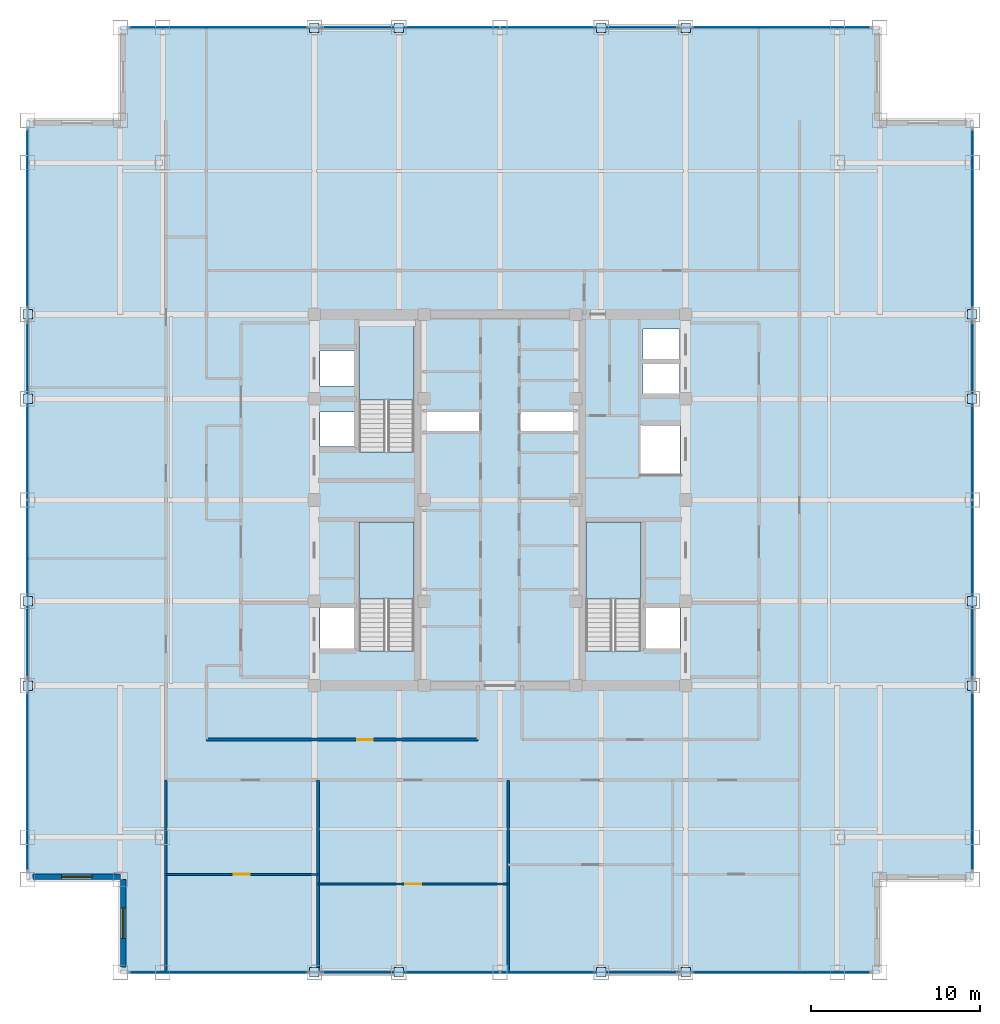
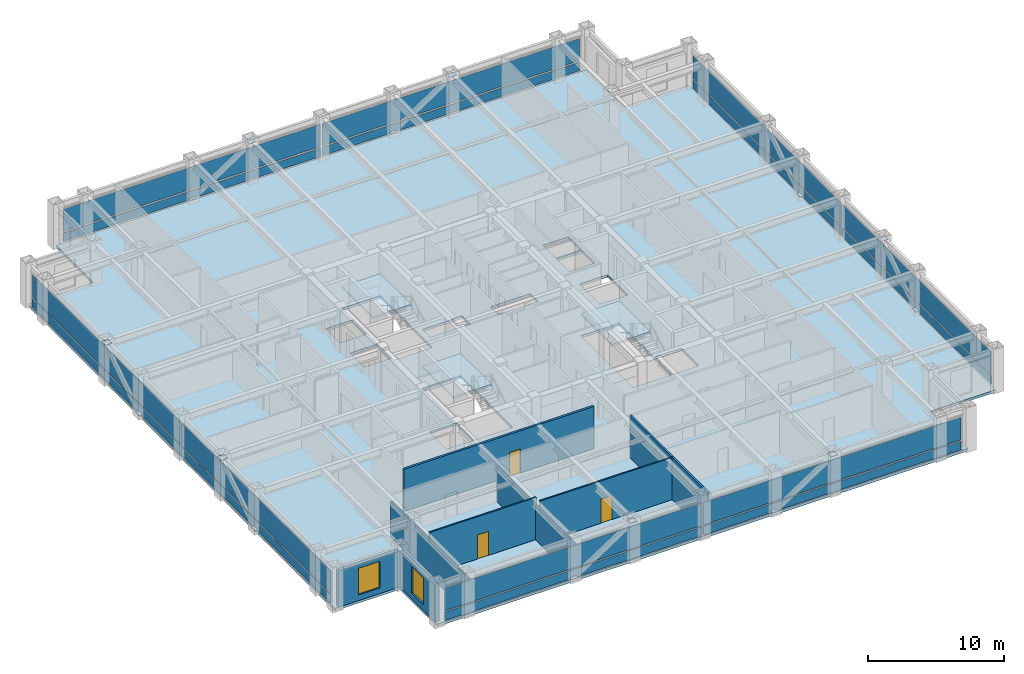
# One storey, part 17 of 22: 32 plates, 8 walls, 4 slabs, 3 doors, 2 windows, 5 openings, 7 elements without a shape of their own.
"""IFC4 building model written with IfcOpenShell, lengths in metres."""

from ifc_helpers import new_model, si_unit, direction, frame, frame_2d, origin, origin_2d, place, context, subcontext, project, spatial, polyline, rectangle, outline, extrude, source, transform, mapped, material, layer, layer_set, type_object, element, fill, aggregate, save


model = new_model("IFC4")

# Units and contexts
model_context = context("Model", 3, precision=1e-05, world=origin(), true_north=direction((0.0, 1.0)))
body_context = subcontext(model_context, "Body", "Model", "MODEL_VIEW")
ifc_project = project(units=[si_unit("LENGTHUNIT", "METRE"), si_unit("AREAUNIT", "SQUARE_METRE"), si_unit("VOLUMEUNIT", "CUBIC_METRE"), si_unit("PLANEANGLEUNIT", "RADIAN"), si_unit("MASSUNIT", "GRAM", prefix="KILO")], contexts=[model_context])

# Site, building, storey
site_placement = place(None, origin())
site = spatial("IfcSite", under=ifc_project, at=site_placement, CompositionType="ELEMENT")
building_placement = place(site_placement, origin())
building = spatial("IfcBuilding", under=site, at=building_placement, Name="Khorayat Bourse Tower", CompositionType="ELEMENT")
storey_placement = place(building_placement, frame((0.0, 0.0, 293.5)))
storey = spatial("IfcBuildingStorey", under=building, at=storey_placement, Name="L69", CompositionType="ELEMENT", Elevation=293.5)

# Stair, slab
ifc_material_1 = material(Name="Concrete C40/50", Category="concrete")
stair_type = type_object("IfcStairType", Name="STR-CORE-1550", PredefinedType="HALF_TURN_STAIR", material=ifc_material_1)
stair_1_placement = place(storey_placement, origin())
stair_1 = element("IfcStair", 1, at=stair_1_placement, inside=storey, type_object=stair_type, Name="L69 Exit Stair ST-1", PredefinedType="HALF_TURN_STAIR")
ifc_layer_1 = layer(ifc_material_1, 0.199951171875)
ifc_layer_set_1 = layer_set([ifc_layer_1], Name="Concrete C40/50")
slab_type_1 = type_object("IfcSlabType", Name="SLB-LANDING-200", PredefinedType="LANDING", material=ifc_layer_set_1)
slab_1_placement = place(storey_placement, frame((0.0, 0.0, 1.800048828125)))
slab_1 = element("IfcSlab", 2, at=slab_1_placement, type_object=slab_type_1, Name="ST-1 landing 1", PredefinedType="LANDING", context=body_context, shape_type="SweptSolid", body=[
    extrude(outline(polyline([(-5.10009765625, -5.8701171875), (-5.10009765625, -1.300048828125), (-8.35009765625, -1.300048828125), (-8.35009765625, -5.8701171875), (-5.10009765625, -5.8701171875)])), origin(), (0.0, 0.0, 1.0), 0.199951171875),
])
aggregate(stair_1, [slab_1])

stair_2_placement = place(storey_placement, origin())
stair_2 = element("IfcStair", 3, at=stair_2_placement, inside=storey, type_object=stair_type, Name="L69 Exit Stair ST-2", PredefinedType="HALF_TURN_STAIR")
slab_2_placement = place(storey_placement, frame((0.0, 0.0, 1.800048828125)))
slab_2 = element("IfcSlab", 4, at=slab_2_placement, type_object=slab_type_1, Name="ST-2 landing 1", PredefinedType="LANDING", context=body_context, shape_type="SweptSolid", body=[
    extrude(outline(polyline([(-5.10009765625, 5.929931640625), (-5.10009765625, 10.5), (-8.35009765625, 10.5), (-8.35009765625, 5.929931640625), (-5.10009765625, 5.929931640625)])), origin(), (0.0, 0.0, 1.0), 0.199951171875),
])
aggregate(stair_2, [slab_2])

stair_3_placement = place(storey_placement, origin())
stair_3 = element("IfcStair", 5, at=stair_3_placement, inside=storey, type_object=stair_type, Name="L69 Exit Stair ST-3", PredefinedType="HALF_TURN_STAIR")
slab_3_placement = place(storey_placement, frame((0.0, 0.0, 1.800048828125)))
slab_3 = element("IfcSlab", 6, at=slab_3_placement, type_object=slab_type_1, Name="ST-3 landing 1", PredefinedType="LANDING", context=body_context, shape_type="SweptSolid", body=[
    extrude(outline(polyline([(8.35009765625, -5.8701171875), (8.35009765625, -1.300048828125), (5.10009765625, -1.300048828125), (5.10009765625, -5.8701171875), (8.35009765625, -5.8701171875)])), origin(), (0.0, 0.0, 1.0), 0.199951171875),
])
aggregate(stair_3, [slab_3])

# Slab
ifc_layer_2 = layer(ifc_material_1, 0.219970703125)
ifc_layer_set_2 = layer_set([ifc_layer_2], Name="Concrete C40/50")
slab_type_2 = type_object("IfcSlabType", Name="SLB-OFFICE-220", PredefinedType="FLOOR", material=ifc_layer_set_2)
slab_4_placement = place(storey_placement, frame((0.0, 0.0, -0.219970703125)))
element("IfcSlab", 7, at=slab_4_placement, inside=storey, type_object=slab_type_2, Name="L69 Main Floor Slab", PredefinedType="FLOOR", context=body_context, shape_type="SweptSolid", body=[
    extrude(outline(polyline([(-22.5, -28.0), (22.5, -28.0), (22.5, -22.5), (28.0, -22.5), (28.0, 22.5), (22.5, 22.5), (22.5, 28.0), (-22.5, 28.0), (-22.5, 22.5), (-28.0, 22.5), (-28.0, -22.5), (-22.5, -22.5), (-22.5, -28.0)]), holes=[polyline([(-8.35009765625, -8.945068359375), (-5.10009765625, -8.945068359375), (-5.10009765625, -1.300048828125), (-8.35009765625, -1.300048828125), (-8.35009765625, -8.945068359375)]), polyline([(-8.35009765625, 2.85498046875), (-5.10009765625, 2.85498046875), (-5.10009765625, 10.5), (-8.35009765625, 10.5), (-8.35009765625, 2.85498046875)]), polyline([(5.10009765625, -8.945068359375), (8.35009765625, -8.945068359375), (8.35009765625, -1.300048828125), (5.10009765625, -1.300048828125), (5.10009765625, -8.945068359375)]), polyline([(-10.679931640625, 3.169921875), (-8.419921875, 3.169921875), (-8.419921875, 5.22998046875), (-10.679931640625, 5.22998046875), (-10.679931640625, 3.169921875)]), polyline([(-10.679931640625, 6.77001953125), (-8.419921875, 6.77001953125), (-8.419921875, 8.830078125), (-10.679931640625, 8.830078125), (-10.679931640625, 6.77001953125)]), polyline([(8.469970703125, 6.27001953125), (10.6298828125, 6.27001953125), (10.6298828125, 8.1298828125), (8.469970703125, 8.1298828125), (8.469970703125, 6.27001953125)]), polyline([(8.469970703125, 8.27001953125), (10.6298828125, 8.27001953125), (10.6298828125, 10.1298828125), (8.469970703125, 10.1298828125), (8.469970703125, 8.27001953125)]), polyline([(-10.679931640625, -8.929931640625), (-8.419921875, -8.929931640625), (-8.419921875, -6.3701171875), (-10.679931640625, -6.3701171875), (-10.679931640625, -8.929931640625)]), polyline([(8.419921875, -8.929931640625), (10.679931640625, -8.929931640625), (10.679931640625, -6.3701171875), (8.419921875, -6.3701171875), (8.419921875, -8.929931640625)]), polyline([(8.320068359375, 1.52001953125), (10.679931640625, 1.52001953125), (10.679931640625, 4.47998046875), (8.320068359375, 4.47998046875), (8.320068359375, 1.52001953125)]), polyline([(-4.56005859375, 4.080078125), (-1.18994140625, 4.080078125), (-1.18994140625, 5.219970703125), (-4.56005859375, 5.219970703125), (-4.56005859375, 4.080078125)]), polyline([(1.18994140625, 4.080078125), (4.56005859375, 4.080078125), (4.56005859375, 5.219970703125), (1.18994140625, 5.219970703125), (1.18994140625, 4.080078125)])]), origin(), (0.0, 0.0, 1.0), 0.219970703125),
])

# Plates
ifc_material_2 = material(Name="Steel EN 10025-2 S355J2", Category="steel")
ifc_layer_3 = layer(ifc_material_2, 0.02490234375)
ifc_layer_set_3 = layer_set([ifc_layer_3], Name="Steel EN 10025-2 S355J2")
plate_type_1 = type_object("IfcPlateType", Name="PLT-ENDCAP-25", PredefinedType="SHEET", material=ifc_layer_set_3)
shared_shape_1 = source(origin(), body_context, "Body", "SweptSolid", [
    extrude(rectangle(XDim=0.56005859375, YDim=0.56005859375, at=origin_2d()), origin(), (0.0, 0.0, 1.0), 0.02490234375),
])
for number, where, z_axis, x_axis, name in (
    (8, (-11.0, -28.0, 0.237548828125), (0.0, 0.0, 1.0), (1.0, 0.0, 0.0), "L69 Perimeter Brace End Plate 001"),
    (9, (-6.0, -28.0, 3.517578125), (0.0, 0.0, 1.0), (1.0, 0.0, 0.0), "L69 Perimeter Brace End Plate 002"),
    (10, (6.0, -28.0, 0.237548828125), (0.0, 0.0, 1.0), (1.0, 0.0, 0.0), "L69 Perimeter Brace End Plate 003"),
    (11, (11.0, -28.0, 3.517578125), (0.0, 0.0, 1.0), (1.0, 0.0, 0.0), "L69 Perimeter Brace End Plate 004"),
    (12, (-11.0, 28.0, 0.237548828125), (0.0, 0.0, 1.0), (1.0, 0.0, 0.0), "L69 Perimeter Brace End Plate 005"),
    (13, (-6.0, 28.0, 3.517578125), (0.0, 0.0, 1.0), (1.0, 0.0, 0.0), "L69 Perimeter Brace End Plate 006"),
    (14, (6.0, 28.0, 0.237548828125), (0.0, 0.0, 1.0), (1.0, 0.0, 0.0), "L69 Perimeter Brace End Plate 007"),
    (15, (11.0, 28.0, 3.517578125), (0.0, 0.0, 1.0), (1.0, 0.0, 0.0), "L69 Perimeter Brace End Plate 008"),
    (16, (-28.0, -11.0, 0.237548828125), (0.0, 0.0, 1.0), (1.0, 0.0, 0.0), "L69 Perimeter Brace End Plate 009"),
    (17, (-28.0, -6.0, 3.517578125), (0.0, 0.0, 1.0), (1.0, 0.0, 0.0), "L69 Perimeter Brace End Plate 010"),
    (18, (-28.0, 6.0, 0.237548828125), (0.0, 0.0, 1.0), (1.0, 0.0, 0.0), "L69 Perimeter Brace End Plate 011"),
    (19, (-28.0, 11.0, 3.517578125), (0.0, 0.0, 1.0), (1.0, 0.0, 0.0), "L69 Perimeter Brace End Plate 012"),
    (20, (28.0, -11.0, 0.237548828125), (0.0, 0.0, 1.0), (1.0, 0.0, 0.0), "L69 Perimeter Brace End Plate 013"),
    (21, (28.0, -6.0, 3.517578125), (0.0, 0.0, 1.0), (1.0, 0.0, 0.0), "L69 Perimeter Brace End Plate 014"),
    (22, (28.0, 6.0, 0.237548828125), (0.0, 0.0, 1.0), (1.0, 0.0, 0.0), "L69 Perimeter Brace End Plate 015"),
    (23, (28.0, 11.0, 3.517578125), (0.0, 0.0, 1.0), (1.0, 0.0, 0.0), "L69 Perimeter Brace End Plate 016"),
):
    element("IfcPlate", number, at=place(storey_placement, frame(where, z_axis=z_axis, x_axis=x_axis)), inside=storey, type_object=plate_type_1, Name=name, PredefinedType="SHEET", context=body_context, shape_type="MappedRepresentation", body=[
        mapped(shared_shape_1, transform((0.0, 0.0, 0.0), scale=1.0)),
    ])

# Curtain wall, plates
ifc_material_3 = material(Name="Aluminium EN AW-6063 T6", Category="aluminium")
curtain_wall_type = type_object("IfcCurtainWallType", Name="CW-SYS-04", PredefinedType="NOTDEFINED", material=ifc_material_3)
curtain_wall_1_placement = place(storey_placement, origin())
curtain_wall_1 = element("IfcCurtainWall", 24, at=curtain_wall_1_placement, inside=storey, type_object=curtain_wall_type, Name="L69 Curtain Wall CW-L69-S1", PredefinedType="NOTDEFINED")
ifc_material_4 = material(Name="Honed desert limestone insulated spandrel", Category="masonry")
ifc_layer_4 = layer(ifc_material_4, 0.06494140625)
ifc_layer_set_4 = layer_set([ifc_layer_4], Name="Honed desert limestone insulated spandrel")
plate_type_2 = type_object("IfcPlateType", Name="CWP-SPAND-03", PredefinedType="CURTAIN_PANEL", material=ifc_layer_set_4)
shared_shape_2 = source(origin(), body_context, "Body", "SweptSolid", [
    extrude(rectangle(XDim=21.820068359375, YDim=0.06494140625, at=origin_2d()), origin(), (0.0, 0.0, 1.0), 0.77001953125),
])
plate_1_placement = place(storey_placement, frame((-10.969970703125, -28.0, 0.119873046875), z_axis=(0.0, 0.0, 1.0), x_axis=(1.0, 0.0, 0.0)))
plate_1 = element("IfcPlate", 25, at=plate_1_placement, type_object=plate_type_2, Name="CW-L69-S1 Spandrel Panel 1-1", PredefinedType="CURTAIN_PANEL", context=body_context, shape_type="MappedRepresentation", body=[
    mapped(shared_shape_2, transform((0.0, 0.0, 0.0), scale=1.0)),
])
plate_2_placement = place(storey_placement, frame((10.969970703125, -28.0, 0.119873046875), z_axis=(0.0, 0.0, 1.0), x_axis=(1.0, 0.0, 0.0)))
plate_2 = element("IfcPlate", 26, at=plate_2_placement, type_object=plate_type_2, Name="CW-L69-S1 Spandrel Panel 2-1", PredefinedType="CURTAIN_PANEL", context=body_context, shape_type="MappedRepresentation", body=[
    mapped(shared_shape_2, transform((0.0, 0.0, 0.0), scale=1.0)),
])

curtain_wall_2_placement = place(storey_placement, origin())
curtain_wall_2 = element("IfcCurtainWall", 27, at=curtain_wall_2_placement, inside=storey, type_object=curtain_wall_type, Name="L69 Curtain Wall CW-L69-N1", PredefinedType="NOTDEFINED")
plate_3_placement = place(storey_placement, frame((-10.969970703125, 28.0, 0.119873046875), z_axis=(0.0, 0.0, 1.0), x_axis=(1.0, 0.0, 0.0)))
plate_3 = element("IfcPlate", 28, at=plate_3_placement, type_object=plate_type_2, Name="CW-L69-N1 Spandrel Panel 1-1", PredefinedType="CURTAIN_PANEL", context=body_context, shape_type="MappedRepresentation", body=[
    mapped(shared_shape_2, transform((0.0, 0.0, 0.0), scale=1.0)),
])
plate_4_placement = place(storey_placement, frame((10.969970703125, 28.0, 0.119873046875), z_axis=(0.0, 0.0, 1.0), x_axis=(1.0, 0.0, 0.0)))
plate_4 = element("IfcPlate", 29, at=plate_4_placement, type_object=plate_type_2, Name="CW-L69-N1 Spandrel Panel 2-1", PredefinedType="CURTAIN_PANEL", context=body_context, shape_type="MappedRepresentation", body=[
    mapped(shared_shape_2, transform((0.0, 0.0, 0.0), scale=1.0)),
])

curtain_wall_3_placement = place(storey_placement, origin())
curtain_wall_3 = element("IfcCurtainWall", 30, at=curtain_wall_3_placement, inside=storey, type_object=curtain_wall_type, Name="L69 Curtain Wall CW-L69-W1", PredefinedType="NOTDEFINED")
plate_5_placement = place(storey_placement, frame((-28.0, -10.969970703125, 0.119873046875), z_axis=(0.0, 0.0, 1.0), x_axis=(0.0, 1.0, 0.0)))
plate_5 = element("IfcPlate", 31, at=plate_5_placement, type_object=plate_type_2, Name="CW-L69-W1 Spandrel Panel 1-1", PredefinedType="CURTAIN_PANEL", context=body_context, shape_type="MappedRepresentation", body=[
    mapped(shared_shape_2, transform((0.0, 0.0, 0.0), scale=1.0)),
])
plate_6_placement = place(storey_placement, frame((-28.0, 10.969970703125, 0.119873046875), z_axis=(0.0, 0.0, 1.0), x_axis=(0.0, 1.0, 0.0)))
plate_6 = element("IfcPlate", 32, at=plate_6_placement, type_object=plate_type_2, Name="CW-L69-W1 Spandrel Panel 2-1", PredefinedType="CURTAIN_PANEL", context=body_context, shape_type="MappedRepresentation", body=[
    mapped(shared_shape_2, transform((0.0, 0.0, 0.0), scale=1.0)),
])

curtain_wall_4_placement = place(storey_placement, origin())
curtain_wall_4 = element("IfcCurtainWall", 33, at=curtain_wall_4_placement, inside=storey, type_object=curtain_wall_type, Name="L69 Curtain Wall CW-L69-E1", PredefinedType="NOTDEFINED")
plate_7_placement = place(storey_placement, frame((28.0, -10.969970703125, 0.119873046875), z_axis=(0.0, 0.0, 1.0), x_axis=(0.0, 1.0, 0.0)))
plate_7 = element("IfcPlate", 34, at=plate_7_placement, type_object=plate_type_2, Name="CW-L69-E1 Spandrel Panel 1-1", PredefinedType="CURTAIN_PANEL", context=body_context, shape_type="MappedRepresentation", body=[
    mapped(shared_shape_2, transform((0.0, 0.0, 0.0), scale=1.0)),
])
plate_8_placement = place(storey_placement, frame((28.0, 10.969970703125, 0.119873046875), z_axis=(0.0, 0.0, 1.0), x_axis=(0.0, 1.0, 0.0)))
plate_8 = element("IfcPlate", 35, at=plate_8_placement, type_object=plate_type_2, Name="CW-L69-E1 Spandrel Panel 2-1", PredefinedType="CURTAIN_PANEL", context=body_context, shape_type="MappedRepresentation", body=[
    mapped(shared_shape_2, transform((0.0, 0.0, 0.0), scale=1.0)),
])

# Plate
ifc_material_5 = material(Name="Low-E solar-control laminated double glazing", Category="glass")
ifc_layer_5 = layer(ifc_material_5, 0.0419921875)
ifc_layer_set_5 = layer_set([ifc_layer_5], Name="Low-E solar-control laminated double glazing")
plate_type_3 = type_object("IfcPlateType", Name="CWP-FACET-02", PredefinedType="CURTAIN_PANEL", material=ifc_layer_set_5)
shared_shape_3 = source(origin(), body_context, "Body", "SweptSolid", [
    extrude(rectangle(XDim=21.820068359375, YDim=0.0419921875, at=origin_2d()), origin(), (0.0, 0.0, 1.0), 2.0),
])
plate_9_placement = place(storey_placement, frame((-10.969970703125, -28.0, 1.010009765625), z_axis=(0.0, 0.0, 1.0), x_axis=(1.0, 0.0, 0.0)))
plate_9 = element("IfcPlate", 36, at=plate_9_placement, type_object=plate_type_3, Name="CW-L69-S1 Vision Panel 1-2", PredefinedType="CURTAIN_PANEL", context=body_context, shape_type="MappedRepresentation", body=[
    mapped(shared_shape_3, transform((0.0, 0.0, 0.0), scale=1.0)),
])

plate_10_placement = place(storey_placement, frame((10.969970703125, -28.0, 1.010009765625), z_axis=(0.0, 0.0, 1.0), x_axis=(1.0, 0.0, 0.0)))
plate_10 = element("IfcPlate", 37, at=plate_10_placement, type_object=plate_type_3, Name="CW-L69-S1 Vision Panel 2-2", PredefinedType="CURTAIN_PANEL", context=body_context, shape_type="MappedRepresentation", body=[
    mapped(shared_shape_3, transform((0.0, 0.0, 0.0), scale=1.0)),
])

aggregate(curtain_wall_1, [plate_1, plate_9, plate_2, plate_10])

plate_11_placement = place(storey_placement, frame((-10.969970703125, 28.0, 1.010009765625), z_axis=(0.0, 0.0, 1.0), x_axis=(1.0, 0.0, 0.0)))
plate_11 = element("IfcPlate", 38, at=plate_11_placement, type_object=plate_type_3, Name="CW-L69-N1 Vision Panel 1-2", PredefinedType="CURTAIN_PANEL", context=body_context, shape_type="MappedRepresentation", body=[
    mapped(shared_shape_3, transform((0.0, 0.0, 0.0), scale=1.0)),
])

plate_12_placement = place(storey_placement, frame((10.969970703125, 28.0, 1.010009765625), z_axis=(0.0, 0.0, 1.0), x_axis=(1.0, 0.0, 0.0)))
plate_12 = element("IfcPlate", 39, at=plate_12_placement, type_object=plate_type_3, Name="CW-L69-N1 Vision Panel 2-2", PredefinedType="CURTAIN_PANEL", context=body_context, shape_type="MappedRepresentation", body=[
    mapped(shared_shape_3, transform((0.0, 0.0, 0.0), scale=1.0)),
])

aggregate(curtain_wall_2, [plate_3, plate_11, plate_4, plate_12])

plate_13_placement = place(storey_placement, frame((-28.0, -10.969970703125, 1.010009765625), z_axis=(0.0, 0.0, 1.0), x_axis=(0.0, 1.0, 0.0)))
plate_13 = element("IfcPlate", 40, at=plate_13_placement, type_object=plate_type_3, Name="CW-L69-W1 Vision Panel 1-2", PredefinedType="CURTAIN_PANEL", context=body_context, shape_type="MappedRepresentation", body=[
    mapped(shared_shape_3, transform((0.0, 0.0, 0.0), scale=1.0)),
])

plate_14_placement = place(storey_placement, frame((-28.0, 10.969970703125, 1.010009765625), z_axis=(0.0, 0.0, 1.0), x_axis=(0.0, 1.0, 0.0)))
plate_14 = element("IfcPlate", 41, at=plate_14_placement, type_object=plate_type_3, Name="CW-L69-W1 Vision Panel 2-2", PredefinedType="CURTAIN_PANEL", context=body_context, shape_type="MappedRepresentation", body=[
    mapped(shared_shape_3, transform((0.0, 0.0, 0.0), scale=1.0)),
])

aggregate(curtain_wall_3, [plate_5, plate_13, plate_6, plate_14])

plate_15_placement = place(storey_placement, frame((28.0, -10.969970703125, 1.010009765625), z_axis=(0.0, 0.0, 1.0), x_axis=(0.0, 1.0, 0.0)))
plate_15 = element("IfcPlate", 42, at=plate_15_placement, type_object=plate_type_3, Name="CW-L69-E1 Vision Panel 1-2", PredefinedType="CURTAIN_PANEL", context=body_context, shape_type="MappedRepresentation", body=[
    mapped(shared_shape_3, transform((0.0, 0.0, 0.0), scale=1.0)),
])

plate_16_placement = place(storey_placement, frame((28.0, 10.969970703125, 1.010009765625), z_axis=(0.0, 0.0, 1.0), x_axis=(0.0, 1.0, 0.0)))
plate_16 = element("IfcPlate", 43, at=plate_16_placement, type_object=plate_type_3, Name="CW-L69-E1 Vision Panel 2-2", PredefinedType="CURTAIN_PANEL", context=body_context, shape_type="MappedRepresentation", body=[
    mapped(shared_shape_3, transform((0.0, 0.0, 0.0), scale=1.0)),
])

aggregate(curtain_wall_4, [plate_7, plate_15, plate_8, plate_16])

# Wall, opening, window
ifc_material_6 = material(Name="Precast concrete C45/55", Category="concrete")
ifc_layer_6 = layer(ifc_material_6, 0.320068359375)
ifc_layer_set_6 = layer_set([ifc_layer_6], Name="Precast concrete C45/55")
wall_type_1 = type_object("IfcWallType", Name="WAL-EXT-STONE-320", PredefinedType="STANDARD", material=ifc_layer_set_6)
shared_shape_4 = source(origin(), body_context, "Body", "SweptSolid", [
    extrude(rectangle(XDim=5.179931640625, YDim=0.320068359375, at=frame_2d((2.58984375, 0.0))), origin(), (0.0, 0.0, 1.0), 3.23095703125),
])
wall_1_placement = place(storey_placement, frame((-22.5, -22.340087890625, 0.0), z_axis=(0.0, 0.0, 1.0), x_axis=(-1.0, 0.0, 0.0)))
wall_1 = element("IfcWall", 44, at=wall_1_placement, inside=storey, type_object=wall_type_1, Name="L69 Re-Entrant Notch Limestone Wall SW-H", PredefinedType="STANDARD", context=body_context, shape_type="MappedRepresentation", body=[
    mapped(shared_shape_4, transform((0.0, 0.0, 0.0), scale=1.0)),
])
shared_shape_5 = source(origin(), body_context, "Body", "SweptSolid", [
    extrude(rectangle(XDim=1.800048828125, YDim=2.39990234375, at=frame_2d((0.89990234375, 1.199951171875))), frame((0.0, 0.169921875, 0.0), z_axis=(0.0, -1.0, 0.0), x_axis=(1.0, 0.0, 0.0)), (0.0, 0.0, 1.0), 0.340087890625),
])
opening_1_placement = place(wall_1_placement, frame((1.68994140625, 0.0, 0.5)))
opening_1 = element("IfcOpeningElement", 45, at=opening_1_placement, cuts=wall_1, Name="Opening WN-04", PredefinedType="OPENING", context=body_context, shape_type="MappedRepresentation", body=[
    mapped(shared_shape_5, transform((0.0, 0.0, 0.0), scale=1.0)),
])
ifc_material_7 = material(Name="Low-E acoustic laminated double glazing", Category="glass")
window_type = type_object("IfcWindowType", Name="WIN-NOTCH-1800x2400", PartitioningType="SINGLE_PANEL", PredefinedType="WINDOW", material=ifc_material_7)
shared_shape_6 = source(origin(), body_context, "Body", "SweptSolid", [
    extrude(rectangle(XDim=1.800048828125, YDim=2.39990234375, at=frame_2d((0.89990234375, 1.199951171875))), frame((0.0, 0.030029296875, 0.0), z_axis=(0.0, -1.0, 0.0), x_axis=(1.0, 0.0, 0.0)), (0.0, 0.0, 1.0), 0.06005859375),
])
window_1_placement = place(opening_1_placement, origin())
window_1 = element("IfcWindow", 46, at=window_1_placement, inside=storey, type_object=window_type, Name="L69 Facade Window 1", OverallHeight=2.39990234375, OverallWidth=1.800048828125, PartitioningType="SINGLE_PANEL", PredefinedType="WINDOW", context=body_context, shape_type="MappedRepresentation", body=[
    mapped(shared_shape_6, transform((0.0, 0.0, 0.0), scale=1.0)),
])
fill(opening_1, window_1)

wall_2_placement = place(storey_placement, frame((-22.340087890625, -27.679931640625, 0.0), z_axis=(0.0, 0.0, 1.0), x_axis=(0.0, 1.0, 0.0)))
wall_2 = element("IfcWall", 47, at=wall_2_placement, inside=storey, type_object=wall_type_1, Name="L69 Re-Entrant Notch Limestone Wall SW-V", PredefinedType="STANDARD", context=body_context, shape_type="MappedRepresentation", body=[
    mapped(shared_shape_4, transform((0.0, 0.0, 0.0), scale=1.0)),
])
opening_2_placement = place(wall_2_placement, frame((1.68994140625, 0.0, 0.5)))
opening_2 = element("IfcOpeningElement", 48, at=opening_2_placement, cuts=wall_2, Name="Opening WN-04", PredefinedType="OPENING", context=body_context, shape_type="MappedRepresentation", body=[
    mapped(shared_shape_5, transform((0.0, 0.0, 0.0), scale=1.0)),
])
window_2_placement = place(opening_2_placement, origin())
window_2 = element("IfcWindow", 49, at=window_2_placement, inside=storey, type_object=window_type, Name="L69 Facade Window 1", OverallHeight=2.39990234375, OverallWidth=1.800048828125, PartitioningType="SINGLE_PANEL", PredefinedType="WINDOW", context=body_context, shape_type="MappedRepresentation", body=[
    mapped(shared_shape_6, transform((0.0, 0.0, 0.0), scale=1.0)),
])
fill(opening_2, window_2)

# Wall, opening, door
ifc_material_8 = material(Name="Gypsum plasterboard acoustic stud wall")
ifc_layer_7 = layer(ifc_material_8, 0.179931640625)
ifc_layer_set_7 = layer_set([ifc_layer_7], Name="Gypsum plasterboard acoustic stud wall")
wall_type_2 = type_object("IfcWallType", Name="WAL-PART-CORR-180", PredefinedType="PARTITIONING", material=ifc_layer_set_7)
shared_shape_7 = source(origin(), body_context, "Body", "SweptSolid", [
    extrude(rectangle(XDim=16.099853515625, YDim=0.179931640625, at=frame_2d((8.0498046875, 0.0))), origin(), (0.0, 0.0, 1.0), 3.780029296875),
])
wall_3_placement = place(storey_placement, frame((-17.39990234375, -14.199951171875, 0.0), z_axis=(0.0, 0.0, 1.0), x_axis=(1.0, 0.0, 0.0)))
wall_3 = element("IfcWall", 50, at=wall_3_placement, inside=storey, type_object=wall_type_2, Name="L69 Partition WAL-L69-PKSW-S", PredefinedType="PARTITIONING", context=body_context, shape_type="MappedRepresentation", body=[
    mapped(shared_shape_7, transform((0.0, 0.0, 0.0), scale=1.0)),
])
shared_shape_8 = source(origin(), body_context, "Body", "SweptSolid", [
    extrude(rectangle(XDim=0.89990234375, YDim=2.14990234375, at=frame_2d((0.449951171875, 1.074951171875))), frame((0.0, 0.099853515625, 0.0), z_axis=(0.0, -1.0, 0.0), x_axis=(1.0, 0.0, 0.0)), (0.0, 0.0, 1.0), 0.199951171875),
])
opening_3_placement = place(wall_3_placement, frame((8.949951171875, 0.0, 0.0)))
opening_3 = element("IfcOpeningElement", 51, at=opening_3_placement, cuts=wall_3, Name="Opening DI-06", PredefinedType="OPENING", context=body_context, shape_type="MappedRepresentation", body=[
    mapped(shared_shape_8, transform((0.0, 0.0, 0.0), scale=1.0)),
])
ifc_material_9 = material(Name="Moisture-resistant laminate washroom door")
door_type_1 = type_object("IfcDoorType", Name="DR-INT-WC-900", OperationType="NOTDEFINED", PredefinedType="DOOR", material=ifc_material_9)
shared_shape_9 = source(origin(), body_context, "Body", "SweptSolid", [
    extrude(rectangle(XDim=0.89990234375, YDim=2.14990234375, at=frame_2d((0.449951171875, 1.074951171875))), frame((0.0, 0.02490234375, 0.0), z_axis=(0.0, -1.0, 0.0), x_axis=(1.0, 0.0, 0.0)), (0.0, 0.0, 1.0), 0.050048828125),
])
door_1_placement = place(opening_3_placement, origin())
door_1 = element("IfcDoor", 52, at=door_1_placement, inside=storey, type_object=door_type_1, Name="L69 SW Inboard Pantry Door", OperationType="SINGLE_SWING_LEFT", OverallHeight=2.14990234375, OverallWidth=0.89990234375, PredefinedType="DOOR", context=body_context, shape_type="MappedRepresentation", body=[
    mapped(shared_shape_9, transform((0.0, 0.0, 0.0), scale=1.0)),
])
fill(opening_3, door_1)

ifc_material_10 = material(Name="Gypsum plasterboard partition")
ifc_layer_8 = layer(ifc_material_10, 0.125)
ifc_layer_set_8 = layer_set([ifc_layer_8], Name="Gypsum plasterboard partition")
wall_type_3 = type_object("IfcWallType", Name="WAL-PART-ROOM-125", PredefinedType="PARTITIONING", material=ifc_layer_set_8)
shared_shape_10 = source(origin(), body_context, "Body", "SweptSolid", [
    extrude(rectangle(XDim=9.011962890625, YDim=0.125, at=frame_2d((4.505859375, 0.0))), origin(), (0.0, 0.0, 1.0), 3.780029296875),
])
wall_4_placement = place(storey_placement, frame((-19.800048828125, -22.18603515625, 0.0), z_axis=(0.0, 0.0, 1.0), x_axis=(1.0, 0.0, 0.0)))
wall_4 = element("IfcWall", 53, at=wall_4_placement, inside=storey, type_object=wall_type_3, Name="L69 Partition WAL-L69-SDP-1", PredefinedType="PARTITIONING", context=body_context, shape_type="MappedRepresentation", body=[
    mapped(shared_shape_10, transform((0.0, 0.0, 0.0), scale=1.0)),
])
shared_shape_11 = source(origin(), body_context, "Body", "SweptSolid", [
    extrude(rectangle(XDim=0.949951171875, YDim=2.14990234375, at=frame_2d((0.47509765625, 1.074951171875))), frame((0.0, 0.072509765625, 0.0), z_axis=(0.0, -1.0, 0.0), x_axis=(1.0, 0.0, 0.0)), (0.0, 0.0, 1.0), 0.14501953125),
])
opening_4_placement = place(wall_4_placement, frame((4.031005859375, 0.0, 0.0)))
opening_4 = element("IfcOpeningElement", 54, at=opening_4_placement, cuts=wall_4, Name="Opening DI-05", PredefinedType="OPENING", context=body_context, shape_type="MappedRepresentation", body=[
    mapped(shared_shape_11, transform((0.0, 0.0, 0.0), scale=1.0)),
])
ifc_material_11 = material(Name="Acoustic oak veneer office door")
door_type_2 = type_object("IfcDoorType", Name="DR-INT-OFFICE-950", OperationType="NOTDEFINED", PredefinedType="DOOR", material=ifc_material_11)
shared_shape_12 = source(origin(), body_context, "Body", "SweptSolid", [
    extrude(rectangle(XDim=0.949951171875, YDim=2.14990234375, at=frame_2d((0.47509765625, 1.074951171875))), frame((0.0, 0.02490234375, 0.0), z_axis=(0.0, -1.0, 0.0), x_axis=(1.0, 0.0, 0.0)), (0.0, 0.0, 1.0), 0.050048828125),
])
door_2_placement = place(opening_4_placement, origin())
door_2 = element("IfcDoor", 55, at=door_2_placement, inside=storey, type_object=door_type_2, Name="L69 Market Committee Conference Room S1B Door", OperationType="SINGLE_SWING_RIGHT", OverallHeight=2.14990234375, OverallWidth=0.949951171875, PredefinedType="DOOR", context=body_context, shape_type="MappedRepresentation", body=[
    mapped(shared_shape_12, transform((0.0, 0.0, 0.0), scale=1.0)),
])
fill(opening_4, door_2)

# Wall
ifc_material_12 = material(Name="Gypsum plasterboard twin-frame partition")
ifc_layer_9 = layer(ifc_material_12, 0.14990234375)
ifc_layer_set_9 = layer_set([ifc_layer_9], Name="Gypsum plasterboard twin-frame partition")
wall_type_4 = type_object("IfcWallType", Name="WAL-PART-SUITE-150", PredefinedType="PARTITIONING", material=ifc_layer_set_9)
shared_shape_13 = source(origin(), body_context, "Body", "SweptSolid", [
    extrude(rectangle(XDim=11.39990234375, YDim=0.14990234375, at=frame_2d((5.699951171875, 0.0))), origin(), (0.0, 0.0, 1.0), 3.0849609375),
])
wall_5_placement = place(storey_placement, frame((-10.7880859375, -28.0, 0.0), z_axis=(0.0, 0.0, 1.0), x_axis=(0.0, 1.0, 0.0)))
element("IfcWall", 56, at=wall_5_placement, inside=storey, type_object=wall_type_4, Name="L69 Partition WAL-L69-SDV-1", PredefinedType="PARTITIONING", context=body_context, shape_type="MappedRepresentation", body=[
    mapped(shared_shape_13, transform((0.0, 0.0, 0.0), scale=1.0)),
])

# Wall, opening, door
shared_shape_14 = source(origin(), body_context, "Body", "SweptSolid", [
    extrude(rectangle(XDim=11.26513671875, YDim=0.125, at=frame_2d((5.632568359375, 0.0))), origin(), (0.0, 0.0, 1.0), 3.780029296875),
])
wall_6_placement = place(storey_placement, frame((-10.7880859375, -22.756103515625, 0.0), z_axis=(0.0, 0.0, 1.0), x_axis=(1.0, 0.0, 0.0)))
wall_6 = element("IfcWall", 57, at=wall_6_placement, inside=storey, type_object=wall_type_3, Name="L69 Partition WAL-L69-SDP-2", PredefinedType="PARTITIONING", context=body_context, shape_type="MappedRepresentation", body=[
    mapped(shared_shape_14, transform((0.0, 0.0, 0.0), scale=1.0)),
])
opening_5_placement = place(wall_6_placement, frame((5.157470703125, 0.0, 0.0)))
opening_5 = element("IfcOpeningElement", 58, at=opening_5_placement, cuts=wall_6, Name="Opening DI-05", PredefinedType="OPENING", context=body_context, shape_type="MappedRepresentation", body=[
    mapped(shared_shape_11, transform((0.0, 0.0, 0.0), scale=1.0)),
])
door_3_placement = place(opening_5_placement, origin())
door_3 = element("IfcDoor", 59, at=door_3_placement, inside=storey, type_object=door_type_2, Name="L69 Brokerage Seminar Room S2B Door", OperationType="SINGLE_SWING_LEFT", OverallHeight=2.14990234375, OverallWidth=0.949951171875, PredefinedType="DOOR", context=body_context, shape_type="MappedRepresentation", body=[
    mapped(shared_shape_12, transform((0.0, 0.0, 0.0), scale=1.0)),
])
fill(opening_5, door_3)

# Walls
shared_shape_15 = source(origin(), body_context, "Body", "SweptSolid", [
    extrude(rectangle(XDim=11.39990234375, YDim=0.14990234375, at=frame_2d((5.699951171875, 0.0))), origin(), (0.0, 0.0, 1.0), 3.780029296875),
])
wall_7_placement = place(storey_placement, frame((0.47705078125, -28.0, 0.0), z_axis=(0.0, 0.0, 1.0), x_axis=(0.0, 1.0, 0.0)))
element("IfcWall", 60, at=wall_7_placement, inside=storey, type_object=wall_type_4, Name="L69 Partition WAL-L69-SDV-2", PredefinedType="PARTITIONING", context=body_context, shape_type="MappedRepresentation", body=[
    mapped(shared_shape_15, transform((0.0, 0.0, 0.0), scale=1.0)),
])
shared_shape_16 = source(origin(), body_context, "Body", "SweptSolid", [
    extrude(rectangle(XDim=11.39990234375, YDim=0.14990234375, at=frame_2d((5.699951171875, 0.0))), origin(), (0.0, 0.0, 1.0), 3.1640625),
])
wall_8_placement = place(storey_placement, frame((-19.800048828125, -28.0, 0.0), z_axis=(0.0, 0.0, 1.0), x_axis=(0.0, 1.0, 0.0)))
element("IfcWall", 61, at=wall_8_placement, inside=storey, type_object=wall_type_4, Name="L69 Partition WAL-L69-SCW-END", PredefinedType="PARTITIONING", context=body_context, shape_type="MappedRepresentation", body=[
    mapped(shared_shape_16, transform((0.0, 0.0, 0.0), scale=1.0)),
])

save(model, "model.ifc")
